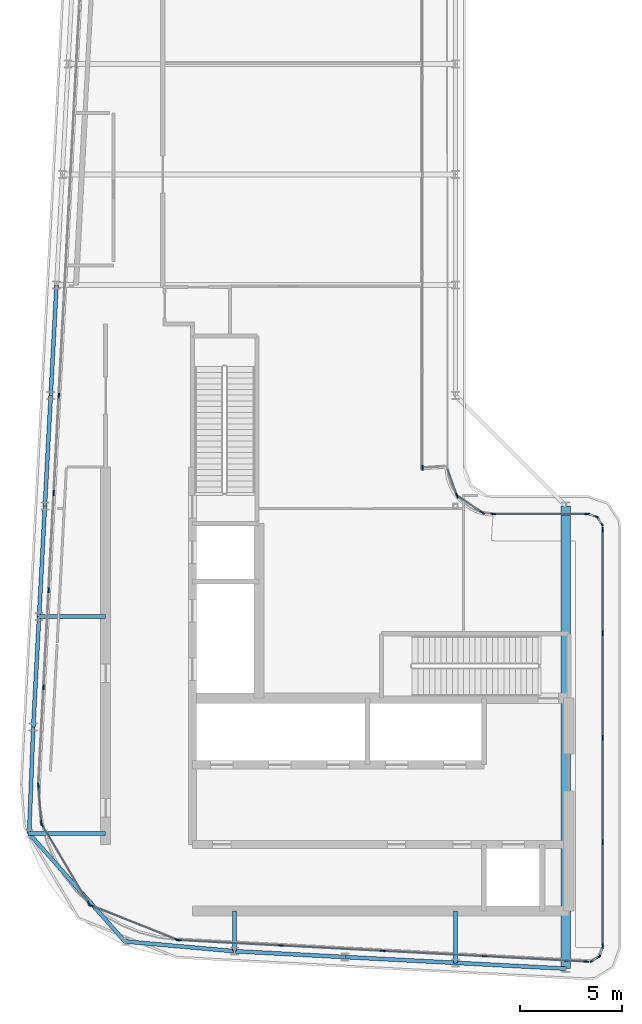
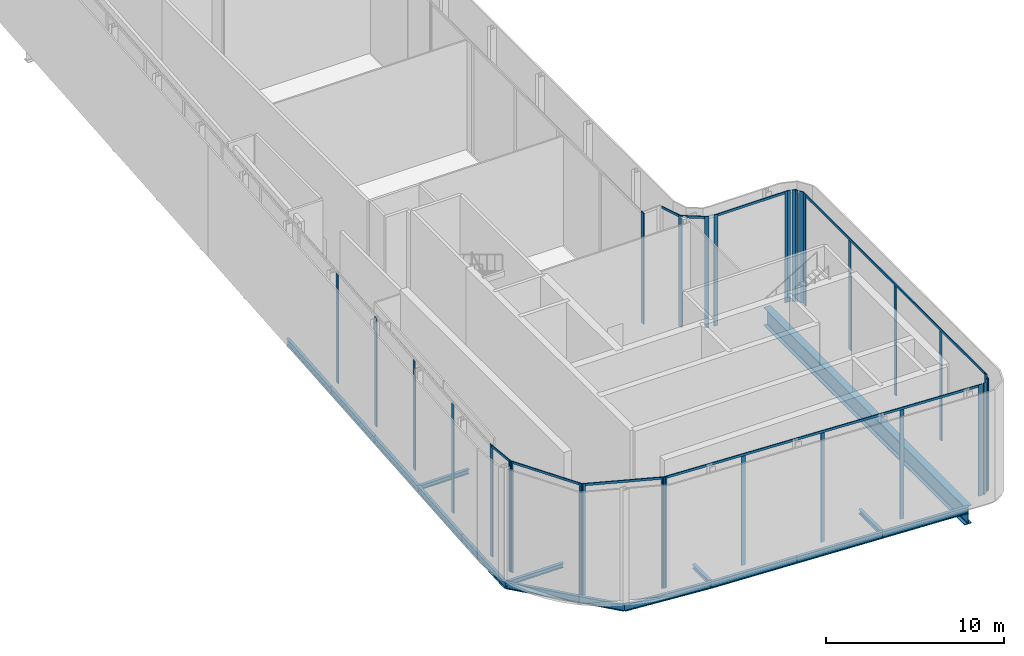
# One storey, part 4 of 23: 41 members, 15 beams, 15 elements without a shape of their own.
"""IFC4 building model written with IfcOpenShell, lengths in metres."""

from ifc_helpers import new_model, si_unit, direction, frame, origin, origin_2d, place, context, subcontext, project, spatial, rectangle, i_section, extrude, material, layer, layer_set, material_profile, profile_set, type_object, element, aggregate, save


model = new_model("IFC4")

# Units and contexts
model_context = context("Model", 3, precision=1e-05, world=origin(), true_north=direction((0.0, 1.0)))
body_context = subcontext(model_context, "Body", "Model", "MODEL_VIEW")
ifc_project = project(units=[si_unit("LENGTHUNIT", "METRE"), si_unit("AREAUNIT", "SQUARE_METRE"), si_unit("VOLUMEUNIT", "CUBIC_METRE"), si_unit("PLANEANGLEUNIT", "RADIAN"), si_unit("MASSUNIT", "GRAM", prefix="KILO")], contexts=[model_context])

# Site, building, storey
site_placement = place(None, origin())
site = spatial("IfcSite", under=ifc_project, at=site_placement, CompositionType="ELEMENT")
building_placement = place(site_placement, origin())
building = spatial("IfcBuilding", under=site, at=building_placement, Name="Kheshtan School and Residences Tower", CompositionType="ELEMENT")
storey_placement = place(building_placement, frame((0.0, 0.0, 389.0)))
storey = spatial("IfcBuildingStorey", under=building, at=storey_placement, Name="L92", CompositionType="ELEMENT", Elevation=389.0)

# Beams
ifc_material_1 = material(Name="Steel ASTM A992 Grade 50", Category="steel")
ifc_material_profile_1 = material_profile(ifc_material_1, i_section(OverallWidth=0.202880859375, OverallDepth=0.302978515625, WebThickness=0.007568359375, FlangeThickness=0.01318359375, FilletRadius=0.009033203125, at=origin_2d()), Name="W310x60")
ifc_profile_set_1 = profile_set([ifc_material_profile_1], Name="Steel ASTM A992 Grade 50")
beam_type_1 = type_object("IfcBeamType", Name="Beam FB1 W310x60 ASTM A992 Grade 50", PredefinedType="BEAM", material=ifc_profile_set_1)
beam_1_placement = place(storey_placement, frame((47.60009765625, 23.263916015625, -0.301513671875), z_axis=(0.0, 1.0, 0.0), x_axis=(-1.0, 0.0, 0.0)))
element("IfcBeam", 1, at=beam_1_placement, inside=storey, type_object=beam_type_1, Name="Floor beam C020", PredefinedType="BEAM", context=body_context, shape_type="SweptSolid", body=[
    extrude(i_section(OverallWidth=0.202880859375, OverallDepth=0.302978515625, WebThickness=0.007568359375, FlangeThickness=0.01318359375, FilletRadius=0.009033203125, at=origin_2d()), origin(), (0.0, 0.0, 1.0), 2.5361328125),
])
beam_2_placement = place(storey_placement, frame((36.800048828125, 23.83203125, -0.301513671875), z_axis=(0.0, 1.0, 0.0), x_axis=(-1.0, 0.0, 0.0)))
element("IfcBeam", 2, at=beam_2_placement, inside=storey, type_object=beam_type_1, Name="Floor beam C022", PredefinedType="BEAM", context=body_context, shape_type="SweptSolid", body=[
    extrude(i_section(OverallWidth=0.202880859375, OverallDepth=0.302978515625, WebThickness=0.007568359375, FlangeThickness=0.01318359375, FilletRadius=0.009033203125, at=origin_2d()), origin(), (0.0, 0.0, 1.0), 1.968017578125),
])
beam_3_placement = place(storey_placement, frame((26.76708984375, 29.58203125, -0.301513671875), z_axis=(1.0, 0.0, 0.0), x_axis=(0.0, 1.0, 0.0)))
element("IfcBeam", 3, at=beam_3_placement, inside=storey, type_object=beam_type_1, Name="Floor beam C048", PredefinedType="BEAM", context=body_context, shape_type="SweptSolid", body=[
    extrude(i_section(OverallWidth=0.202880859375, OverallDepth=0.302978515625, WebThickness=0.007568359375, FlangeThickness=0.01318359375, FilletRadius=0.009033203125, at=origin_2d()), origin(), (0.0, 0.0, 1.0), 3.73291015625),
])
beam_4_placement = place(storey_placement, frame((27.2529296875, 40.199951171875, -0.301513671875), z_axis=(1.0, 0.0, 0.0), x_axis=(0.0, 1.0, 0.0)))
element("IfcBeam", 4, at=beam_4_placement, inside=storey, type_object=beam_type_1, Name="Floor beam C056", PredefinedType="BEAM", context=body_context, shape_type="SweptSolid", body=[
    extrude(i_section(OverallWidth=0.202880859375, OverallDepth=0.302978515625, WebThickness=0.007568359375, FlangeThickness=0.01318359375, FilletRadius=0.009033203125, at=origin_2d()), origin(), (0.0, 0.0, 1.0), 3.2470703125),
])
ifc_material_profile_2 = material_profile(ifc_material_1, i_section(OverallWidth=0.18994140625, OverallDepth=0.45703125, WebThickness=0.009033203125, FlangeThickness=0.014404296875, FilletRadius=0.01318359375, at=origin_2d()), Name="W460x74")
ifc_profile_set_2 = profile_set([ifc_material_profile_2], Name="Steel ASTM A992 Grade 50")
beam_type_2 = type_object("IfcBeamType", Name="Beam SP4 W460x74 ASTM A992 Grade 50", PredefinedType="BEAM", material=ifc_profile_set_2)
beam_5_placement = place(storey_placement, frame((53.0, 22.97998046875, -0.37841796875), z_axis=(-0.998620447272, 0.05250906864, 0.0), x_axis=(-0.05250906864, -0.998620447272, 0.0)))
element("IfcBeam", 5, at=beam_5_placement, inside=storey, type_object=beam_type_2, Name="Spandrel beam C019-C020", PredefinedType="BEAM", context=body_context, shape_type="SweptSolid", body=[
    extrude(i_section(OverallWidth=0.18994140625, OverallDepth=0.45703125, WebThickness=0.009033203125, FlangeThickness=0.014404296875, FilletRadius=0.01318359375, at=origin_2d()), origin(), (0.0, 0.0, 1.0), 5.407470703125),
])
beam_6_placement = place(storey_placement, frame((47.60009765625, 23.263916015625, -0.37841796875), z_axis=(-0.998618203458, 0.052551724256, 0.0), x_axis=(-0.052551724256, -0.998618203458, 0.0)))
element("IfcBeam", 6, at=beam_6_placement, inside=storey, type_object=beam_type_2, Name="Spandrel beam C020-C021", PredefinedType="BEAM", context=body_context, shape_type="SweptSolid", body=[
    extrude(i_section(OverallWidth=0.18994140625, OverallDepth=0.45703125, WebThickness=0.009033203125, FlangeThickness=0.014404296875, FilletRadius=0.01318359375, at=origin_2d()), origin(), (0.0, 0.0, 1.0), 5.40771484375),
])
beam_7_placement = place(storey_placement, frame((42.199951171875, 23.548095703125, -0.37841796875), z_axis=(-0.998620447272, 0.05250906864, 0.0), x_axis=(-0.05250906864, -0.998620447272, 0.0)))
element("IfcBeam", 7, at=beam_7_placement, inside=storey, type_object=beam_type_2, Name="Spandrel beam C021-C022", PredefinedType="BEAM", context=body_context, shape_type="SweptSolid", body=[
    extrude(i_section(OverallWidth=0.18994140625, OverallDepth=0.45703125, WebThickness=0.009033203125, FlangeThickness=0.014404296875, FilletRadius=0.01318359375, at=origin_2d()), origin(), (0.0, 0.0, 1.0), 5.407470703125),
])
beam_8_placement = place(storey_placement, frame((36.800048828125, 23.83203125, -0.37841796875), z_axis=(-0.996036411806, 0.088946424077, 0.0), x_axis=(-0.088946424077, -0.996036411806, 0.0)))
element("IfcBeam", 8, at=beam_8_placement, inside=storey, type_object=beam_type_2, Name="Spandrel beam C022-C034", PredefinedType="BEAM", context=body_context, shape_type="SweptSolid", body=[
    extrude(i_section(OverallWidth=0.18994140625, OverallDepth=0.45703125, WebThickness=0.009033203125, FlangeThickness=0.014404296875, FilletRadius=0.01318359375, at=origin_2d()), origin(), (0.0, 0.0, 1.0), 5.374267578125),
])
beam_9_placement = place(storey_placement, frame((31.447021484375, 24.31005859375, -0.37841796875), z_axis=(-0.663867136248, 0.747850536812, 0.0), x_axis=(-0.747850536812, -0.663867136248, 0.0)))
element("IfcBeam", 9, at=beam_9_placement, inside=storey, type_object=beam_type_2, Name="Spandrel beam C034-C048", PredefinedType="BEAM", context=body_context, shape_type="SweptSolid", body=[
    extrude(i_section(OverallWidth=0.18994140625, OverallDepth=0.45703125, WebThickness=0.009033203125, FlangeThickness=0.014404296875, FilletRadius=0.01318359375, at=origin_2d()), origin(), (0.0, 0.0, 1.0), 7.049560546875),
])
beam_10_placement = place(storey_placement, frame((26.76708984375, 29.58203125, -0.37841796875), z_axis=(0.038664745323, 0.999252239161, 0.0), x_axis=(-0.999252239161, 0.038664745323, 0.0)))
element("IfcBeam", 10, at=beam_10_placement, inside=storey, type_object=beam_type_2, Name="Spandrel beam C048-C052", PredefinedType="BEAM", context=body_context, shape_type="SweptSolid", body=[
    extrude(i_section(OverallWidth=0.18994140625, OverallDepth=0.45703125, WebThickness=0.009033203125, FlangeThickness=0.014404296875, FilletRadius=0.01318359375, at=origin_2d()), origin(), (0.0, 0.0, 1.0), 5.221923828125),
])
beam_11_placement = place(storey_placement, frame((26.968994140625, 34.800048828125, -0.37841796875), z_axis=(0.05250906864, 0.998620447272, 0.0), x_axis=(-0.998620447272, 0.05250906864, 0.0)))
element("IfcBeam", 11, at=beam_11_placement, inside=storey, type_object=beam_type_2, Name="Spandrel beam C052-C056", PredefinedType="BEAM", context=body_context, shape_type="SweptSolid", body=[
    extrude(i_section(OverallWidth=0.18994140625, OverallDepth=0.45703125, WebThickness=0.009033203125, FlangeThickness=0.014404296875, FilletRadius=0.01318359375, at=origin_2d()), origin(), (0.0, 0.0, 1.0), 5.407470703125),
])
beam_12_placement = place(storey_placement, frame((27.2529296875, 40.199951171875, -0.37841796875), z_axis=(0.052551724256, 0.998618203458, 0.0), x_axis=(-0.998618203458, 0.052551724256, 0.0)))
element("IfcBeam", 12, at=beam_12_placement, inside=storey, type_object=beam_type_2, Name="Spandrel beam C056-C059", PredefinedType="BEAM", context=body_context, shape_type="SweptSolid", body=[
    extrude(i_section(OverallWidth=0.18994140625, OverallDepth=0.45703125, WebThickness=0.009033203125, FlangeThickness=0.014404296875, FilletRadius=0.01318359375, at=origin_2d()), origin(), (0.0, 0.0, 1.0), 5.40771484375),
])
for number, where, z_axis, x_axis, name in (
    (13, (27.537109375, 45.60009765625, -0.37841796875), (0.052689166816, 0.998610961136, 0.0), (-0.998610961136, 0.052689166816, 0.0), "Spandrel beam C059-C078"),
    (14, (27.822021484375, 51.0, -0.37841796875), (0.05250906864, 0.998620447272, 0.0), (-0.998620447272, 0.05250906864, 0.0), "Spandrel beam C078-C080"),
):
    element("IfcBeam", number, at=place(storey_placement, frame(where, z_axis=z_axis, x_axis=x_axis)), inside=storey, type_object=beam_type_2, Name=name, PredefinedType="BEAM", context=body_context, shape_type="SweptSolid", body=[
        extrude(i_section(OverallWidth=0.18994140625, OverallDepth=0.45703125, WebThickness=0.009033203125, FlangeThickness=0.014404296875, FilletRadius=0.01318359375, at=origin_2d()), origin(), (0.0, 0.0, 1.0), 5.407470703125),
    ])

# Curtain wall, member
ifc_material_2 = material(Name="Clear low-e glass in thermally broken aluminium frame", Category="aluminium")
ifc_layer_1 = layer(ifc_material_2, 0.25)
ifc_layer_set_1 = layer_set([ifc_layer_1], Name="Curtain wall CW-G")
curtain_wall_type_1 = type_object("IfcCurtainWallType", Name="Curtain wall CW-G", PredefinedType="NOTDEFINED", material=ifc_layer_set_1)
curtain_wall_1_placement = place(storey_placement, origin())
curtain_wall_1 = element("IfcCurtainWall", 15, at=curtain_wall_1_placement, inside=storey, type_object=curtain_wall_type_1, Name="Curtain wall CWG19c", PredefinedType="NOTDEFINED")
ifc_material_3 = material(Name="Thermally broken aluminium, dark bronze anodised", Category="aluminium")
ifc_material_profile_3 = material_profile(ifc_material_3, rectangle(XDim=0.06005859375, YDim=0.25, at=origin_2d()), Name="CW-G mullion 60x250")
ifc_profile_set_3 = profile_set([ifc_material_profile_3], Name="Thermally broken aluminium, dark bronze anodised")
member_type_1 = type_object("IfcMemberType", Name="CW-G mullion 60x250", PredefinedType="MULLION", material=ifc_profile_set_3)
member_1_placement = place(storey_placement, frame((46.0, 47.4599609375, 0.0), z_axis=(0.0, 0.0, 1.0), x_axis=(1.0, 0.0, 0.0)))
member_1 = element("IfcMember", 16, at=member_1_placement, type_object=member_type_1, Name="CWG19c mullion 6", PredefinedType="MULLION", context=body_context, shape_type="SweptSolid", body=[
    extrude(rectangle(XDim=0.06005859375, YDim=0.25, at=origin_2d()), origin(), (0.0, 0.0, 1.0), 7.64990234375),
])
aggregate(curtain_wall_1, [member_1])

# Curtain wall, members
ifc_layer_2 = layer(ifc_material_2, 0.25)
ifc_layer_set_2 = layer_set([ifc_layer_2], Name="Curtain wall CW-K")
curtain_wall_type_2 = type_object("IfcCurtainWallType", Name="Curtain wall CW-K", PredefinedType="NOTDEFINED", material=ifc_layer_set_2)
curtain_wall_2_placement = place(storey_placement, origin())
curtain_wall_2 = element("IfcCurtainWall", 17, at=curtain_wall_2_placement, inside=storey, type_object=curtain_wall_type_2, Name="Curtain wall CWK1a", PredefinedType="NOTDEFINED")
ifc_material_profile_4 = material_profile(ifc_material_3, rectangle(XDim=0.06005859375, YDim=0.25, at=origin_2d()), Name="CW-K mullion 60x250")
ifc_profile_set_4 = profile_set([ifc_material_profile_4], Name="Thermally broken aluminium, dark bronze anodised")
member_type_2 = type_object("IfcMemberType", Name="CW-K mullion 60x250", PredefinedType="MULLION", material=ifc_profile_set_4)
member_2_placement = place(storey_placement, frame((54.12890625, 45.18603515625, 0.0), z_axis=(0.0, 0.0, 1.0), x_axis=(0.303900450271, 0.952703792543, 0.0)))
member_2 = element("IfcMember", 18, at=member_2_placement, type_object=member_type_2, Name="CWK1a mullion 1", PredefinedType="MULLION", context=body_context, shape_type="SweptSolid", body=[
    extrude(rectangle(XDim=0.06005859375, YDim=0.25, at=origin_2d()), origin(), (0.0, 0.0, 1.0), 7.64990234375),
])
member_3_placement = place(storey_placement, frame((54.466796875, 45.078369140625, 0.0), z_axis=(0.0, 0.0, 1.0), x_axis=(0.303900450271, 0.952703792543, 0.0)))
member_3 = element("IfcMember", 19, at=member_3_placement, type_object=member_type_2, Name="CWK1a mullion 2", PredefinedType="MULLION", context=body_context, shape_type="SweptSolid", body=[
    extrude(rectangle(XDim=0.06005859375, YDim=0.25, at=origin_2d()), origin(), (0.0, 0.0, 1.0), 7.64990234375),
])
aggregate(curtain_wall_2, [member_2, member_3])

curtain_wall_3_placement = place(storey_placement, origin())
curtain_wall_3 = element("IfcCurtainWall", 20, at=curtain_wall_3_placement, inside=storey, type_object=curtain_wall_type_2, Name="Curtain wall CWK2a", PredefinedType="NOTDEFINED")
member_4_placement = place(storey_placement, frame((54.56494140625, 45.004638671875, 0.0), z_axis=(0.0, 0.0, 1.0), x_axis=(0.831648992198, 0.555301678168, 0.0)))
member_4 = element("IfcMember", 21, at=member_4_placement, type_object=member_type_2, Name="CWK2a mullion 1", PredefinedType="MULLION", context=body_context, shape_type="SweptSolid", body=[
    extrude(rectangle(XDim=0.06005859375, YDim=0.25, at=origin_2d()), origin(), (0.0, 0.0, 1.0), 7.64990234375),
])
member_5_placement = place(storey_placement, frame((54.744384765625, 44.735595703125, 0.0), z_axis=(0.0, 0.0, 1.0), x_axis=(0.831648992198, 0.555301678168, 0.0)))
member_5 = element("IfcMember", 22, at=member_5_placement, type_object=member_type_2, Name="CWK2a mullion 2", PredefinedType="MULLION", context=body_context, shape_type="SweptSolid", body=[
    extrude(rectangle(XDim=0.06005859375, YDim=0.25, at=origin_2d()), origin(), (0.0, 0.0, 1.0), 7.64990234375),
])
aggregate(curtain_wall_3, [member_4, member_5])

curtain_wall_4_placement = place(storey_placement, origin())
curtain_wall_4 = element("IfcCurtainWall", 23, at=curtain_wall_4_placement, inside=storey, type_object=curtain_wall_type_2, Name="Curtain wall CWK3c", PredefinedType="NOTDEFINED")
member_6_placement = place(storey_placement, frame((54.800048828125, 44.43994140625, 0.0), z_axis=(0.0, 0.0, 1.0), x_axis=(1.0, 0.0, 0.0)))
member_6 = element("IfcMember", 24, at=member_6_placement, type_object=member_type_2, Name="CWK3c mullion 1", PredefinedType="MULLION", context=body_context, shape_type="SweptSolid", body=[
    extrude(rectangle(XDim=0.06005859375, YDim=0.25, at=origin_2d()), origin(), (0.0, 0.0, 1.0), 7.64990234375),
])
member_7_placement = place(storey_placement, frame((54.800048828125, 39.365966796875, 0.0), z_axis=(0.0, 0.0, 1.0), x_axis=(1.0, 0.0, 0.0)))
member_7 = element("IfcMember", 25, at=member_7_placement, type_object=member_type_2, Name="CWK3c mullion 2", PredefinedType="MULLION", context=body_context, shape_type="SweptSolid", body=[
    extrude(rectangle(XDim=0.06005859375, YDim=0.25, at=origin_2d()), origin(), (0.0, 0.0, 1.0), 7.489990234375),
])
member_8_placement = place(storey_placement, frame((54.800048828125, 34.261962890625, 0.0), z_axis=(0.0, 0.0, 1.0), x_axis=(1.0, 0.0, 0.0)))
member_8 = element("IfcMember", 26, at=member_8_placement, type_object=member_type_2, Name="CWK3c mullion 3", PredefinedType="MULLION", context=body_context, shape_type="SweptSolid", body=[
    extrude(rectangle(XDim=0.06005859375, YDim=0.25, at=origin_2d()), origin(), (0.0, 0.0, 1.0), 7.489990234375),
])
member_9_placement = place(storey_placement, frame((54.800048828125, 29.157958984375, 0.0), z_axis=(0.0, 0.0, 1.0), x_axis=(1.0, 0.0, 0.0)))
member_9 = element("IfcMember", 27, at=member_9_placement, type_object=member_type_2, Name="CWK3c mullion 4", PredefinedType="MULLION", context=body_context, shape_type="SweptSolid", body=[
    extrude(rectangle(XDim=0.06005859375, YDim=0.25, at=origin_2d()), origin(), (0.0, 0.0, 1.0), 7.489990234375),
])
member_10_placement = place(storey_placement, frame((54.800048828125, 24.083984375, 0.0), z_axis=(0.0, 0.0, 1.0), x_axis=(1.0, 0.0, 0.0)))
member_10 = element("IfcMember", 28, at=member_10_placement, type_object=member_type_2, Name="CWK3c mullion 5", PredefinedType="MULLION", context=body_context, shape_type="SweptSolid", body=[
    extrude(rectangle(XDim=0.06005859375, YDim=0.25, at=origin_2d()), origin(), (0.0, 0.0, 1.0), 7.64990234375),
])

curtain_wall_5_placement = place(storey_placement, origin())
curtain_wall_5 = element("IfcCurtainWall", 29, at=curtain_wall_5_placement, inside=storey, type_object=curtain_wall_type_2, Name="Curtain wall CWK4a", PredefinedType="NOTDEFINED")
member_11_placement = place(storey_placement, frame((54.78564453125, 23.994384765625, 0.0), z_axis=(0.0, 0.0, 1.0), x_axis=(0.950548766961, -0.310575339699, 0.0)))
member_11 = element("IfcMember", 30, at=member_11_placement, type_object=member_type_2, Name="CWK4a mullion 1", PredefinedType="MULLION", context=body_context, shape_type="SweptSolid", body=[
    extrude(rectangle(XDim=0.06005859375, YDim=0.25, at=origin_2d()), origin(), (0.0, 0.0, 1.0), 7.64990234375),
])
member_12_placement = place(storey_placement, frame((54.67236328125, 23.6474609375, 0.0), z_axis=(0.0, 0.0, 1.0), x_axis=(0.950548766961, -0.310575339699, 0.0)))
member_12 = element("IfcMember", 31, at=member_12_placement, type_object=member_type_2, Name="CWK4a mullion 2", PredefinedType="MULLION", context=body_context, shape_type="SweptSolid", body=[
    extrude(rectangle(XDim=0.06005859375, YDim=0.25, at=origin_2d()), origin(), (0.0, 0.0, 1.0), 7.64990234375),
])
aggregate(curtain_wall_5, [member_11, member_12])

curtain_wall_6_placement = place(storey_placement, origin())
curtain_wall_6 = element("IfcCurtainWall", 32, at=curtain_wall_6_placement, inside=storey, type_object=curtain_wall_type_2, Name="Curtain wall CWK5b", PredefinedType="NOTDEFINED")
member_13_placement = place(storey_placement, frame((54.59521484375, 23.54931640625, 0.0), z_axis=(0.0, 0.0, 1.0), x_axis=(0.527300652118, -0.849678775936, 0.0)))
member_13 = element("IfcMember", 33, at=member_13_placement, type_object=member_type_2, Name="CWK5b mullion 1", PredefinedType="MULLION", context=body_context, shape_type="SweptSolid", body=[
    extrude(rectangle(XDim=0.06005859375, YDim=0.25, at=origin_2d()), origin(), (0.0, 0.0, 1.0), 7.64990234375),
])
member_14_placement = place(storey_placement, frame((54.30615234375, 23.369873046875, 0.0), z_axis=(0.0, 0.0, 1.0), x_axis=(0.527300652118, -0.849678775936, 0.0)))
member_14 = element("IfcMember", 34, at=member_14_placement, type_object=member_type_2, Name="CWK5b mullion 2", PredefinedType="MULLION", context=body_context, shape_type="SweptSolid", body=[
    extrude(rectangle(XDim=0.06005859375, YDim=0.25, at=origin_2d()), origin(), (0.0, 0.0, 1.0), 7.64990234375),
])
aggregate(curtain_wall_6, [member_13, member_14])

curtain_wall_7_placement = place(storey_placement, origin())
curtain_wall_7 = element("IfcCurtainWall", 35, at=curtain_wall_7_placement, inside=storey, type_object=curtain_wall_type_2, Name="Curtain wall CWK6c", PredefinedType="NOTDEFINED")
member_15_placement = place(storey_placement, frame((54.002685546875, 23.32666015625, 0.0), z_axis=(0.0, 0.0, 1.0), x_axis=(-0.052600822678, -0.998615618471, 0.0)))
member_15 = element("IfcMember", 36, at=member_15_placement, type_object=member_type_2, Name="CWK6c mullion 1", PredefinedType="MULLION", context=body_context, shape_type="SweptSolid", body=[
    extrude(rectangle(XDim=0.06005859375, YDim=0.25, at=origin_2d()), origin(), (0.0, 0.0, 1.0), 7.64990234375),
])
member_16_placement = place(storey_placement, frame((49.039794921875, 23.588134765625, 0.0), z_axis=(0.0, 0.0, 1.0), x_axis=(-0.052600822678, -0.998615618471, 0.0)))
member_16 = element("IfcMember", 37, at=member_16_placement, type_object=member_type_2, Name="CWK6c mullion 2", PredefinedType="MULLION", context=body_context, shape_type="SweptSolid", body=[
    extrude(rectangle(XDim=0.06005859375, YDim=0.25, at=origin_2d()), origin(), (0.0, 0.0, 1.0), 7.489990234375),
])
member_17_placement = place(storey_placement, frame((44.046630859375, 23.85107421875, 0.0), z_axis=(0.0, 0.0, 1.0), x_axis=(-0.052600822678, -0.998615618471, 0.0)))
member_17 = element("IfcMember", 38, at=member_17_placement, type_object=member_type_2, Name="CWK6c mullion 3", PredefinedType="MULLION", context=body_context, shape_type="SweptSolid", body=[
    extrude(rectangle(XDim=0.06005859375, YDim=0.25, at=origin_2d()), origin(), (0.0, 0.0, 1.0), 7.489990234375),
])
member_18_placement = place(storey_placement, frame((39.0537109375, 24.1142578125, 0.0), z_axis=(0.0, 0.0, 1.0), x_axis=(-0.052600822678, -0.998615618471, 0.0)))
member_18 = element("IfcMember", 39, at=member_18_placement, type_object=member_type_2, Name="CWK6c mullion 4", PredefinedType="MULLION", context=body_context, shape_type="SweptSolid", body=[
    extrude(rectangle(XDim=0.06005859375, YDim=0.25, at=origin_2d()), origin(), (0.0, 0.0, 1.0), 7.489990234375),
])
member_19_placement = place(storey_placement, frame((34.0908203125, 24.37548828125, 0.0), z_axis=(0.0, 0.0, 1.0), x_axis=(-0.052600822678, -0.998615618471, 0.0)))
member_19 = element("IfcMember", 40, at=member_19_placement, type_object=member_type_2, Name="CWK6c mullion 5", PredefinedType="MULLION", context=body_context, shape_type="SweptSolid", body=[
    extrude(rectangle(XDim=0.06005859375, YDim=0.25, at=origin_2d()), origin(), (0.0, 0.0, 1.0), 7.64990234375),
])

curtain_wall_8_placement = place(storey_placement, origin())
curtain_wall_8 = element("IfcCurtainWall", 41, at=curtain_wall_8_placement, inside=storey, type_object=curtain_wall_type_2, Name="Curtain wall CWK7a", PredefinedType="NOTDEFINED")
member_20_placement = place(storey_placement, frame((34.001220703125, 24.39501953125, 0.0), z_axis=(0.0, 0.0, 1.0), x_axis=(-0.369099336022, -0.929389950531, 0.0)))
member_20 = element("IfcMember", 42, at=member_20_placement, type_object=member_type_2, Name="CWK7a mullion 1", PredefinedType="MULLION", context=body_context, shape_type="SweptSolid", body=[
    extrude(rectangle(XDim=0.06005859375, YDim=0.25, at=origin_2d()), origin(), (0.0, 0.0, 1.0), 7.64990234375),
])
member_21_placement = place(storey_placement, frame((29.7890625, 26.06787109375, 0.0), z_axis=(0.0, 0.0, 1.0), x_axis=(-0.369099336022, -0.929389950531, 0.0)))
member_21 = element("IfcMember", 43, at=member_21_placement, type_object=member_type_2, Name="CWK7a mullion 2", PredefinedType="MULLION", context=body_context, shape_type="SweptSolid", body=[
    extrude(rectangle(XDim=0.06005859375, YDim=0.25, at=origin_2d()), origin(), (0.0, 0.0, 1.0), 7.64990234375),
])

curtain_wall_9_placement = place(storey_placement, origin())
curtain_wall_9 = element("IfcCurtainWall", 44, at=curtain_wall_9_placement, inside=storey, type_object=curtain_wall_type_2, Name="Curtain wall CWK8a", PredefinedType="NOTDEFINED")
member_22_placement = place(storey_placement, frame((29.69677734375, 26.146728515625, 0.0), z_axis=(0.0, 0.0, 1.0), x_axis=(-0.85953588802, -0.511075392878, 0.0)))
member_22 = element("IfcMember", 45, at=member_22_placement, type_object=member_type_2, Name="CWK8a mullion 1", PredefinedType="MULLION", context=body_context, shape_type="SweptSolid", body=[
    extrude(rectangle(XDim=0.06005859375, YDim=0.25, at=origin_2d()), origin(), (0.0, 0.0, 1.0), 7.64990234375),
])
member_23_placement = place(storey_placement, frame((27.395263671875, 30.01708984375, 0.0), z_axis=(0.0, 0.0, 1.0), x_axis=(-0.85953588802, -0.511075392878, 0.0)))
member_23 = element("IfcMember", 46, at=member_23_placement, type_object=member_type_2, Name="CWK8a mullion 2", PredefinedType="MULLION", context=body_context, shape_type="SweptSolid", body=[
    extrude(rectangle(XDim=0.06005859375, YDim=0.25, at=origin_2d()), origin(), (0.0, 0.0, 1.0), 7.64990234375),
])

curtain_wall_10_placement = place(storey_placement, origin())
curtain_wall_10 = element("IfcCurtainWall", 47, at=curtain_wall_10_placement, inside=storey, type_object=curtain_wall_type_2, Name="Curtain wall CWK9a", PredefinedType="NOTDEFINED")
member_24_placement = place(storey_placement, frame((27.364013671875, 30.1162109375, 0.0), z_axis=(0.0, 0.0, 1.0), x_axis=(-0.996988506678, -0.077549452299, 0.0)))
member_24 = element("IfcMember", 48, at=member_24_placement, type_object=member_type_2, Name="CWK9a mullion 1", PredefinedType="MULLION", context=body_context, shape_type="SweptSolid", body=[
    extrude(rectangle(XDim=0.06005859375, YDim=0.25, at=origin_2d()), origin(), (0.0, 0.0, 1.0), 7.64990234375),
])
member_25_placement = place(storey_placement, frame((27.22265625, 31.933349609375, 0.0), z_axis=(0.0, 0.0, 1.0), x_axis=(-0.996988506678, -0.077549452299, 0.0)))
member_25 = element("IfcMember", 49, at=member_25_placement, type_object=member_type_2, Name="CWK9a mullion 2", PredefinedType="MULLION", context=body_context, shape_type="SweptSolid", body=[
    extrude(rectangle(XDim=0.06005859375, YDim=0.25, at=origin_2d()), origin(), (0.0, 0.0, 1.0), 7.64990234375),
])

curtain_wall_11_placement = place(storey_placement, origin())
curtain_wall_11 = element("IfcCurtainWall", 50, at=curtain_wall_11_placement, inside=storey, type_object=curtain_wall_type_2, Name="Curtain wall CWK10a", PredefinedType="NOTDEFINED")
member_26_placement = place(storey_placement, frame((27.47021484375, 36.728515625, 0.0), z_axis=(0.0, 0.0, 1.0), x_axis=(-0.998617497599, 0.05256513568, 0.0)))
member_26 = element("IfcMember", 51, at=member_26_placement, type_object=member_type_2, Name="CWK10a mullion 2", PredefinedType="MULLION", context=body_context, shape_type="SweptSolid", body=[
    extrude(rectangle(XDim=0.06005859375, YDim=0.25, at=origin_2d()), origin(), (0.0, 0.0, 1.0), 7.489990234375),
])
member_27_placement = place(storey_placement, frame((27.720458984375, 41.48046875, 0.0), z_axis=(0.0, 0.0, 1.0), x_axis=(-0.998617497599, 0.05256513568, 0.0)))
member_27 = element("IfcMember", 52, at=member_27_placement, type_object=member_type_2, Name="CWK10a mullion 3", PredefinedType="MULLION", context=body_context, shape_type="SweptSolid", body=[
    extrude(rectangle(XDim=0.06005859375, YDim=0.25, at=origin_2d()), origin(), (0.0, 0.0, 1.0), 7.489990234375),
])
member_28_placement = place(storey_placement, frame((27.970458984375, 46.232666015625, 0.0), z_axis=(0.0, 0.0, 1.0), x_axis=(-0.998617497599, 0.05256513568, 0.0)))
member_28 = element("IfcMember", 53, at=member_28_placement, type_object=member_type_2, Name="CWK10a mullion 4", PredefinedType="MULLION", context=body_context, shape_type="SweptSolid", body=[
    extrude(rectangle(XDim=0.06005859375, YDim=0.25, at=origin_2d()), origin(), (0.0, 0.0, 1.0), 7.489990234375),
])
member_29_placement = place(storey_placement, frame((28.220703125, 50.98486328125, 0.0), z_axis=(0.0, 0.0, 1.0), x_axis=(-0.998617497599, 0.05256513568, 0.0)))
member_29 = element("IfcMember", 54, at=member_29_placement, type_object=member_type_2, Name="CWK10a mullion 5", PredefinedType="MULLION", context=body_context, shape_type="SweptSolid", body=[
    extrude(rectangle(XDim=0.06005859375, YDim=0.25, at=origin_2d()), origin(), (0.0, 0.0, 1.0), 7.489990234375),
])
aggregate(curtain_wall_11, [member_26, member_27, member_28, member_29])

# Curtain wall, member
curtain_wall_12_placement = place(storey_placement, origin())
curtain_wall_12 = element("IfcCurtainWall", 55, at=curtain_wall_12_placement, inside=storey, type_object=curtain_wall_type_2, Name="Curtain wall CWK21a", PredefinedType="NOTDEFINED")
member_30_placement = place(storey_placement, frame((47.678466796875, 46.100341796875, 0.0), z_axis=(0.0, 0.0, 1.0), x_axis=(0.943511360053, 0.331340177841, 0.0)))
member_30 = element("IfcMember", 56, at=member_30_placement, type_object=member_type_2, Name="CWK21a mullion 2", PredefinedType="MULLION", context=body_context, shape_type="SweptSolid", body=[
    extrude(rectangle(XDim=0.06005859375, YDim=0.25, at=origin_2d()), origin(), (0.0, 0.0, 1.0), 7.64990234375),
])

curtain_wall_13_placement = place(storey_placement, origin())
curtain_wall_13 = element("IfcCurtainWall", 57, at=curtain_wall_13_placement, inside=storey, type_object=curtain_wall_type_2, Name="Curtain wall CWK22a", PredefinedType="NOTDEFINED")
member_31_placement = place(storey_placement, frame((48.90966796875, 45.27978515625, 0.0), z_axis=(0.0, 0.0, 1.0), x_axis=(0.555744859586, 0.831352904033, 0.0)))
member_31 = element("IfcMember", 58, at=member_31_placement, type_object=member_type_2, Name="CWK22a mullion 2", PredefinedType="MULLION", context=body_context, shape_type="SweptSolid", body=[
    extrude(rectangle(XDim=0.06005859375, YDim=0.25, at=origin_2d()), origin(), (0.0, 0.0, 1.0), 7.64990234375),
])

curtain_wall_14_placement = place(storey_placement, origin())
curtain_wall_14 = element("IfcCurtainWall", 59, at=curtain_wall_14_placement, inside=storey, type_object=curtain_wall_type_2, Name="Curtain wall CWK23a", PredefinedType="NOTDEFINED")
member_32_placement = place(storey_placement, frame((49.45263671875, 45.203125, 0.0), z_axis=(0.0, 0.0, 1.0), x_axis=(0.134363672971, 0.99093208818, 0.0)))
member_32 = element("IfcMember", 60, at=member_32_placement, type_object=member_type_2, Name="CWK23a mullion 2", PredefinedType="MULLION", context=body_context, shape_type="SweptSolid", body=[
    extrude(rectangle(XDim=0.06005859375, YDim=0.25, at=origin_2d()), origin(), (0.0, 0.0, 1.0), 7.64990234375),
])
aggregate(curtain_wall_14, [member_32])

curtain_wall_15_placement = place(storey_placement, origin())
curtain_wall_15 = element("IfcCurtainWall", 61, at=curtain_wall_15_placement, inside=storey, type_object=curtain_wall_type_2, Name="Curtain wall CWK24c", PredefinedType="NOTDEFINED")
member_33_placement = place(storey_placement, frame((54.0400390625, 45.199951171875, 0.0), z_axis=(0.0, 0.0, 1.0), x_axis=(0.0, 1.0, 0.0)))
member_33 = element("IfcMember", 62, at=member_33_placement, type_object=member_type_2, Name="CWK24c mullion 2", PredefinedType="MULLION", context=body_context, shape_type="SweptSolid", body=[
    extrude(rectangle(XDim=0.06005859375, YDim=0.25, at=origin_2d()), origin(), (0.0, 0.0, 1.0), 7.64990234375),
])

# Member
ifc_material_profile_5 = material_profile(ifc_material_3, rectangle(XDim=0.06005859375, YDim=0.159912109375, at=origin_2d()), Name="CW-K transom 60x160")
ifc_profile_set_5 = profile_set([ifc_material_profile_5], Name="Thermally broken aluminium, dark bronze anodised")
member_type_3 = type_object("IfcMemberType", Name="CW-K transom 60x160", PredefinedType="USERDEFINED", material=ifc_profile_set_5)
member_34_placement = place(storey_placement, frame((54.800048828125, 44.409912109375, 7.570068359375), z_axis=(0.0, -1.0, 0.0), x_axis=(1.0, 0.0, 0.0)))
member_34 = element("IfcMember", 63, at=member_34_placement, type_object=member_type_3, Name="CWK3c transom 1", ObjectType="TRANSOM", PredefinedType="USERDEFINED", context=body_context, shape_type="SweptSolid", body=[
    extrude(rectangle(XDim=0.06005859375, YDim=0.159912109375, at=origin_2d()), origin(), (0.0, 0.0, 1.0), 20.2958984375),
])

aggregate(curtain_wall_4, [member_6, member_7, member_8, member_9, member_10, member_34])

member_35_placement = place(storey_placement, frame((53.972900390625, 23.328369140625, 7.570068359375), z_axis=(-0.998615725186, 0.052598796667, 0.0), x_axis=(-0.052598796667, -0.998615725186, 0.0)))
member_35 = element("IfcMember", 64, at=member_35_placement, type_object=member_type_3, Name="CWK6c transom 1", ObjectType="TRANSOM", PredefinedType="USERDEFINED", context=body_context, shape_type="SweptSolid", body=[
    extrude(rectangle(XDim=0.06005859375, YDim=0.159912109375, at=origin_2d()), origin(), (0.0, 0.0, 1.0), 19.8798828125),
])

aggregate(curtain_wall_7, [member_15, member_16, member_17, member_18, member_19, member_35])

member_36_placement = place(storey_placement, frame((33.973388671875, 24.40625, 7.570068359375), z_axis=(-0.929396211553, 0.369083570415, 0.0), x_axis=(-0.369083570415, -0.929396211553, 0.0)))
member_36 = element("IfcMember", 65, at=member_36_placement, type_object=member_type_3, Name="CWK7a transom 1", ObjectType="TRANSOM", PredefinedType="USERDEFINED", context=body_context, shape_type="SweptSolid", body=[
    extrude(rectangle(XDim=0.06005859375, YDim=0.159912109375, at=origin_2d()), origin(), (0.0, 0.0, 1.0), 4.47216796875),
])

aggregate(curtain_wall_8, [member_20, member_21, member_36])

member_37_placement = place(storey_placement, frame((29.681396484375, 26.17236328125, 7.570068359375), z_axis=(-0.511089656668, 0.859527406688, 0.0), x_axis=(-0.859527406688, -0.511089656668, 0.0)))
member_37 = element("IfcMember", 66, at=member_37_placement, type_object=member_type_3, Name="CWK8a transom 1", ObjectType="TRANSOM", PredefinedType="USERDEFINED", context=body_context, shape_type="SweptSolid", body=[
    extrude(rectangle(XDim=0.06005859375, YDim=0.159912109375, at=origin_2d()), origin(), (0.0, 0.0, 1.0), 4.44287109375),
])

aggregate(curtain_wall_9, [member_22, member_23, member_37])

member_38_placement = place(storey_placement, frame((27.361572265625, 30.14599609375, 7.570068359375), z_axis=(-0.077565002269, 0.996987297022, 0.0), x_axis=(-0.996987297022, -0.077565002269, 0.0)))
member_38 = element("IfcMember", 67, at=member_38_placement, type_object=member_type_3, Name="CWK9a transom 1", ObjectType="TRANSOM", PredefinedType="USERDEFINED", context=body_context, shape_type="SweptSolid", body=[
    extrude(rectangle(XDim=0.06005859375, YDim=0.159912109375, at=origin_2d()), origin(), (0.0, 0.0, 1.0), 1.7626953125),
])

aggregate(curtain_wall_10, [member_24, member_25, member_38])

member_39_placement = place(storey_placement, frame((47.21630859375, 47.41650390625, 7.570068359375), z_axis=(0.33126652768, -0.94353722112, 0.0), x_axis=(0.94353722112, 0.33126652768, 0.0)))
member_39 = element("IfcMember", 68, at=member_39_placement, type_object=member_type_3, Name="CWK21a transom 1", ObjectType="TRANSOM", PredefinedType="USERDEFINED", context=body_context, shape_type="SweptSolid", body=[
    extrude(rectangle(XDim=0.06005859375, YDim=0.159912109375, at=origin_2d()), origin(), (0.0, 0.0, 1.0), 1.364990234375),
])

aggregate(curtain_wall_12, [member_30, member_39])

member_40_placement = place(storey_placement, frame((47.70458984375, 46.08544921875, 7.570068359375), z_axis=(0.831308753347, -0.555810900045, 0.0), x_axis=(0.555810900045, 0.831308753347, 0.0)))
member_40 = element("IfcMember", 69, at=member_40_placement, type_object=member_type_3, Name="CWK22a transom 1", ObjectType="TRANSOM", PredefinedType="USERDEFINED", context=body_context, shape_type="SweptSolid", body=[
    extrude(rectangle(XDim=0.06005859375, YDim=0.159912109375, at=origin_2d()), origin(), (0.0, 0.0, 1.0), 1.419677734375),
])

aggregate(curtain_wall_13, [member_31, member_40])

member_41_placement = place(storey_placement, frame((49.482666015625, 45.199951171875, 7.570068359375), z_axis=(1.0, 0.0, 0.0), x_axis=(0.0, 1.0, 0.0)))
member_41 = element("IfcMember", 70, at=member_41_placement, type_object=member_type_3, Name="CWK24c transom 1", ObjectType="TRANSOM", PredefinedType="USERDEFINED", context=body_context, shape_type="SweptSolid", body=[
    extrude(rectangle(XDim=0.06005859375, YDim=0.159912109375, at=origin_2d()), origin(), (0.0, 0.0, 1.0), 4.52734375),
])

aggregate(curtain_wall_15, [member_33, member_41])

# Beam
ifc_material_profile_6 = material_profile(ifc_material_1, i_section(OverallWidth=0.449951171875, OverallDepth=1.25, WebThickness=0.02490234375, FlangeThickness=0.044921875, FilletRadius=0.03759765625, at=origin_2d()), Name="WWF1250x546")
ifc_profile_set_6 = profile_set([ifc_material_profile_6], Name="Steel ASTM A992 Grade 50")
beam_type_3 = type_object("IfcBeamType", Name="Transfer girder TG4 WWF1250x546 ASTM A992 Grade 50", PredefinedType="BEAM", material=ifc_profile_set_6)
beam_13_placement = place(storey_placement, frame((53.0, 45.60009765625, -0.77490234375), z_axis=(0.0, -1.0, 0.0), x_axis=(1.0, 0.0, 0.0)))
element("IfcBeam", 71, at=beam_13_placement, inside=storey, type_object=beam_type_3, Name="Transfer girder C061-C019", PredefinedType="BEAM", context=body_context, shape_type="SweptSolid", body=[
    extrude(i_section(OverallWidth=0.449951171875, OverallDepth=1.25, WebThickness=0.02490234375, FlangeThickness=0.044921875, FilletRadius=0.03759765625, at=origin_2d()), origin(), (0.0, 0.0, 1.0), 22.6201171875),
])

save(model, "model.ifc")
